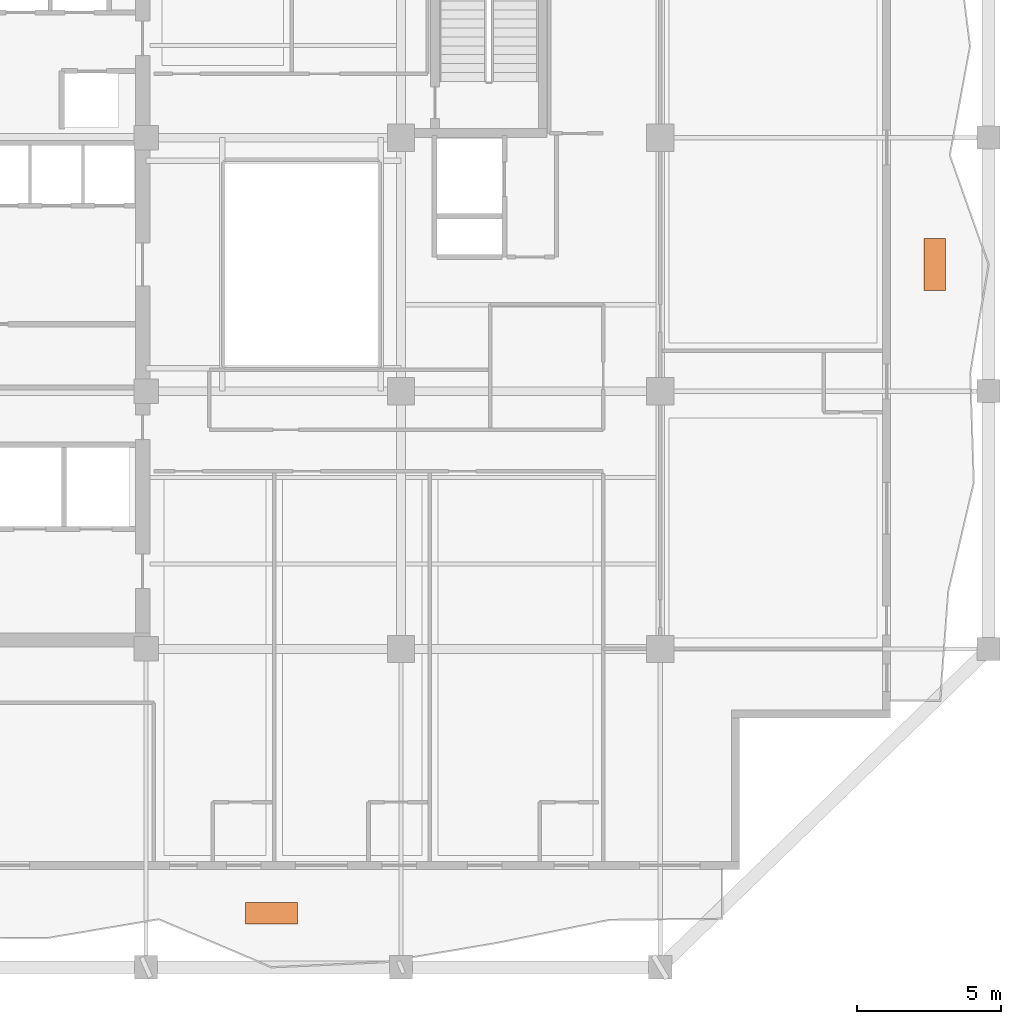
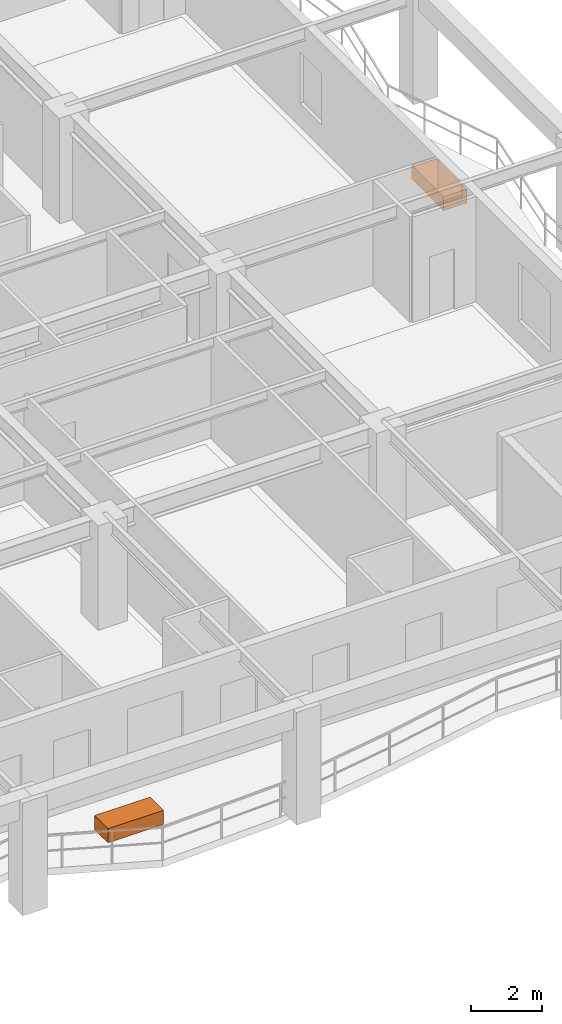
# One storey, part 12 of 12: 2 proxies.
"""IFC4 building model written with IfcOpenShell, lengths in metres."""

from ifc_helpers import new_model, si_unit, direction, frame, origin, origin_2d, place, context, subcontext, project, spatial, rectangle, extrude, material, type_object, element, save


model = new_model("IFC4")

# Units and contexts
model_context = context("Model", 3, precision=1e-05, world=origin(), true_north=direction((0.0, 1.0)))
body_context = subcontext(model_context, "Body", "Model", "MODEL_VIEW")
ifc_project = project(units=[si_unit("LENGTHUNIT", "METRE"), si_unit("AREAUNIT", "SQUARE_METRE"), si_unit("VOLUMEUNIT", "CUBIC_METRE"), si_unit("PLANEANGLEUNIT", "RADIAN"), si_unit("MASSUNIT", "GRAM", prefix="KILO")], contexts=[model_context])

# Site, building, storey
site_placement = place(None, origin())
site = spatial("IfcSite", under=ifc_project, at=site_placement, CompositionType="ELEMENT")
building_placement = place(site_placement, origin())
building = spatial("IfcBuilding", under=site, at=building_placement, Name="Kundavana Baori Tower", CompositionType="ELEMENT")
storey_placement = place(building_placement, frame((0.0, 0.0, 173.300048828125)))
storey = spatial("IfcBuildingStorey", under=building, at=storey_placement, Name="L42", CompositionType="ELEMENT", Elevation=173.300048828125)

# Proxies
ifc_material = material(Name="Red-Buff Dholpur Sandstone Cladding on Concrete C40/50", Category="masonry")
building_element_proxy_type = type_object("IfcBuildingElementProxyType", Name="PRX-PLANTER-1800", PredefinedType="USERDEFINED", material=ifc_material)
for number, where, z_axis, x_axis, name in (
    (1, (29.300048828125, 6.070068359375, 0.0), (0.0, 0.0, 1.0), (1.0, 0.0, 0.0), "L42 Dholpur Stone Structural Tree Planter S"),
    (2, (52.330078125, 28.60009765625, 0.0), (0.0, 0.0, 1.0), (0.0, 1.0, 0.0), "L42 Dholpur Stone Structural Tree Planter E"),
):
    element("IfcBuildingElementProxy", number, at=place(storey_placement, frame(where, z_axis=z_axis, x_axis=x_axis)), inside=storey, type_object=building_element_proxy_type, Name=name, ObjectType="PLANTER", PredefinedType="USERDEFINED", context=body_context, shape_type="SweptSolid", body=[
        extrude(rectangle(XDim=1.800048828125, YDim=0.75, at=origin_2d()), origin(), (0.0, 0.0, 1.0), 0.47998046875),
    ])

save(model, "model.ifc")
